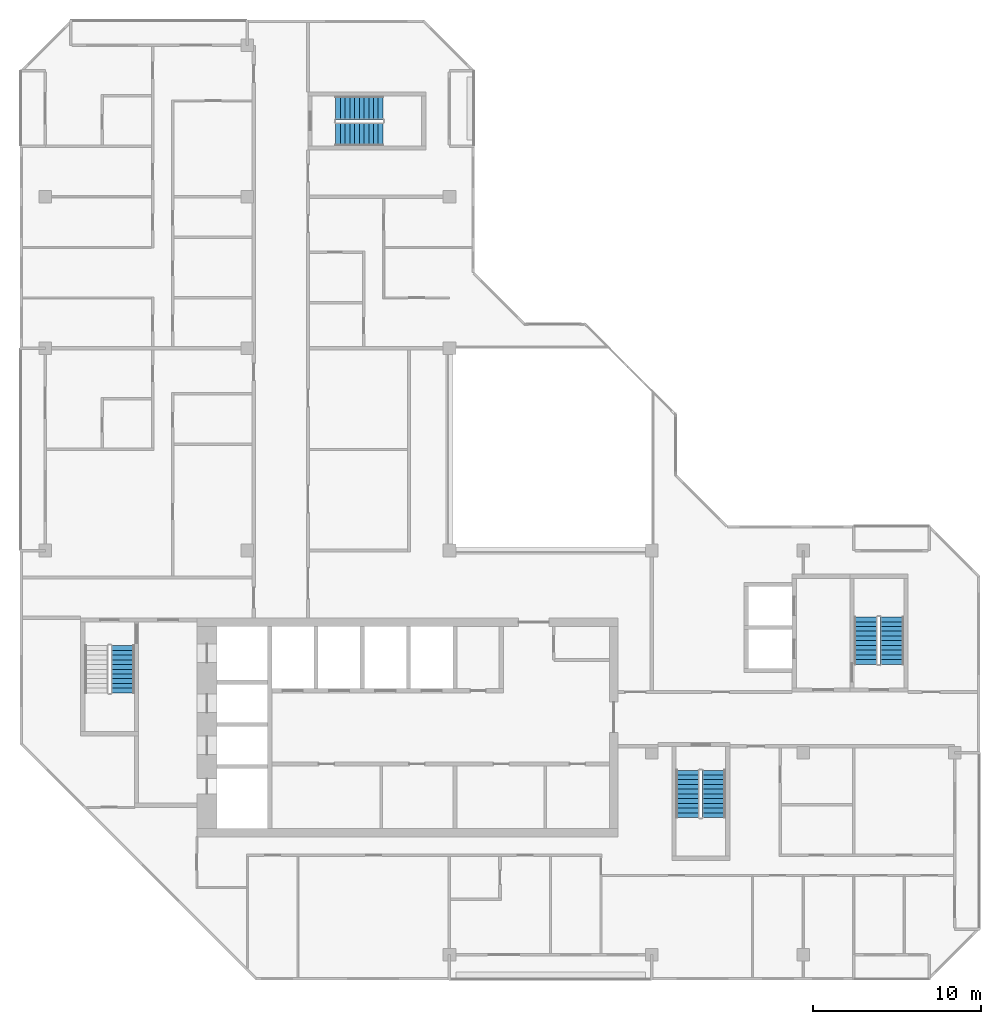
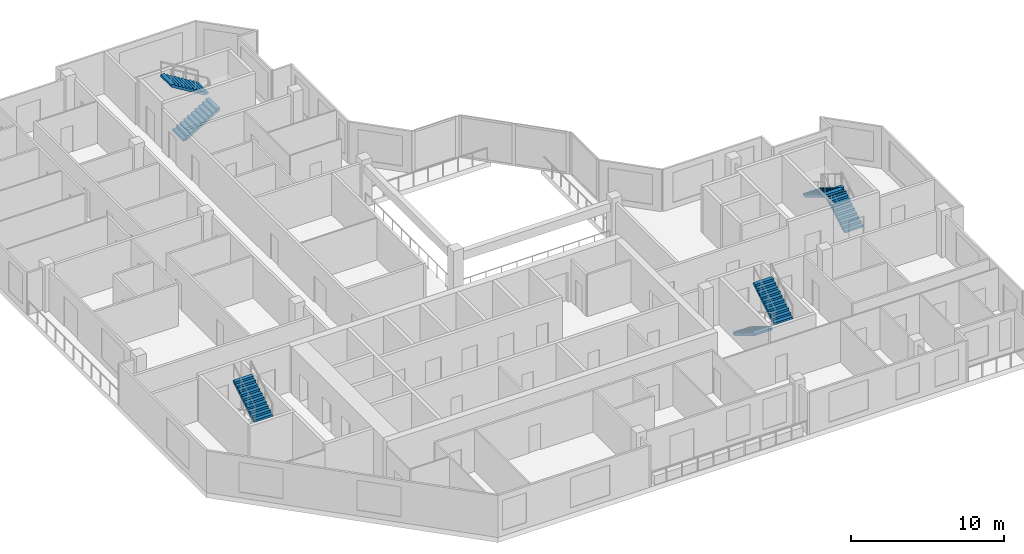
# One storey, part 10 of 12: 7 stair flights, 4 elements without a shape of their own.
"""IFC4 building model written with IfcOpenShell, lengths in metres."""

import ifcopenshell
import ifcopenshell.guid

model = None  # the IFC model being written
_history = None  # IfcOwnerHistory: only IFC2X3 demands one
_inside = {}  # id of a spatial element -> (the spatial element, [elements in it])
_under = {}  # id of a project, library or spatial element -> (it, [spatial elements below it])
_declared = {}  # id of a project -> (the project, [libraries it declares])
_typed = {}  # id of a type object -> (the type object, [elements of that type])
_made_of = {}  # id of a material, layer set ... -> (it, [elements and type objects made of it])


def new_model(schema):
    """Start an empty IFC model of exactly this schema.

    Asked for "IFC4X3", IfcOpenShell would pick the latest addendum, in which some entities
    have other attributes; the version numbers below select the first issue.
    IFC2X3 requires an IfcOwnerHistory on every rooted entity: one is made here for all.
    """
    global model, _history
    if schema == "IFC4X3":
        model = ifcopenshell.file(schema_version=(4, 3, 0, 0))
    else:
        model = ifcopenshell.file(schema=schema)
    _inside.clear()
    _under.clear()
    _declared.clear()
    _typed.clear()
    _made_of.clear()
    _history = None
    if model.schema == "IFC2X3":
        org = make("IfcOrganization", Name="unknown")
        user = make(
            "IfcPersonAndOrganization",
            ThePerson=make("IfcPerson", FamilyName="unknown"),
            TheOrganization=org,
        )
        app = make(
            "IfcApplication",
            ApplicationDeveloper=org,
            Version="unknown",
            ApplicationFullName="unknown",
            ApplicationIdentifier="unknown",
        )
        _history = make(
            "IfcOwnerHistory",
            OwningUser=user,
            OwningApplication=app,
            ChangeAction="ADDED",
            CreationDate=0,
        )
    return model


def make(cls, **values):
    """One entity of the class cls with the attributes given. An attribute that is None is left unset."""
    return model.create_entity(
        cls, **{name: value for name, value in values.items() if value is not None}
    )


def rooted(cls, **values):
    """An entity with a GlobalId (a new one), such as an element, a storey or a relation."""
    return make(cls, GlobalId=ifcopenshell.guid.new(), OwnerHistory=_history, **values)


def si_unit(unit_type, name, prefix=None):
    """IfcSIUnit, for example si_unit("LENGTHUNIT", "METRE", prefix="MILLI")."""
    return make("IfcSIUnit", UnitType=unit_type, Prefix=prefix, Name=name)


def assignment(units):
    """IfcUnitAssignment: the units of a project."""
    return None if units is None else make("IfcUnitAssignment", Units=units)


def point(xyz):
    """IfcCartesianPoint."""
    return None if xyz is None else make("IfcCartesianPoint", Coordinates=xyz)


def direction(xyz):
    """IfcDirection."""
    return None if xyz is None else make("IfcDirection", DirectionRatios=xyz)


def frame(location, z_axis=None, x_axis=None):
    """IfcAxis2Placement3D, a coordinate frame: its origin and axes. An axis left out is left unset."""
    return make(
        "IfcAxis2Placement3D",
        Location=point(location),
        Axis=direction(z_axis),
        RefDirection=direction(x_axis),
    )


def origin():
    """The frame at (0, 0, 0) with its axes left unset."""
    return frame((0.0, 0.0, 0.0))


def place(relative_to, where):
    """IfcLocalPlacement: puts the frame where relative to a parent placement (None: the world)."""
    return make(
        "IfcLocalPlacement", PlacementRelTo=relative_to, RelativePlacement=where
    )


def context(
    kind, dimensions, precision=None, world=None, true_north=None, identifier=None
):
    """IfcGeometricRepresentationContext, for example the 3D "Model" context."""
    return make(
        "IfcGeometricRepresentationContext",
        ContextIdentifier=identifier,
        ContextType=kind,
        CoordinateSpaceDimension=dimensions,
        Precision=precision,
        WorldCoordinateSystem=world,
        TrueNorth=true_north,
    )


def subcontext(parent, identifier, kind, view, scale=None):
    """IfcGeometricRepresentationSubContext, for example "Body" below "Model"."""
    return make(
        "IfcGeometricRepresentationSubContext",
        ContextIdentifier=identifier,
        ContextType=kind,
        ParentContext=parent,
        TargetScale=scale,
        TargetView=view,
    )


def project(units=None, contexts=None):
    """IfcProject with its units and contexts."""
    return rooted(
        "IfcProject",
        Name="project",
        RepresentationContexts=contexts,
        UnitsInContext=assignment(units),
    )


def spatial(cls, under=None, at=None, **own):
    """A site, building, storey or space (cls), placed at a placement, below another one or the project."""
    s = rooted(cls, ObjectPlacement=at, **own)
    if under is not None:
        _under.setdefault(under.id(), (under, []))[1].append(s)
    return s


def polyline(points):
    """IfcPolyline through the points."""
    return make("IfcPolyline", Points=[point(p) for p in points])


def outline(outer, holes=None, kind="AREA"):
    """IfcArbitraryClosedProfileDef: a profile drawn as a closed curve; with holes, ...WithVoids."""
    if holes is None:
        return make("IfcArbitraryClosedProfileDef", ProfileType=kind, OuterCurve=outer)
    return make(
        "IfcArbitraryProfileDefWithVoids",
        ProfileType=kind,
        OuterCurve=outer,
        InnerCurves=holes,
    )


def extrude(swept, where, along, depth):
    """IfcExtrudedAreaSolid: the profile swept, set in the frame where, extruded along a direction by depth."""
    return make(
        "IfcExtrudedAreaSolid",
        SweptArea=swept,
        Position=where,
        ExtrudedDirection=direction(along),
        Depth=depth,
    )


def shape(context_of_items, identifier, shape_type, items):
    """IfcShapeRepresentation: the items that make up one representation, for example the "Body"."""
    return make(
        "IfcShapeRepresentation",
        ContextOfItems=context_of_items,
        RepresentationIdentifier=identifier,
        RepresentationType=shape_type,
        Items=items,
    )


def material(Name=None, Category=None):
    """IfcMaterial."""
    return make("IfcMaterial", Name=Name, Category=Category)


def made_of(thing, what):
    """Note that an element or type object is made of a material, layer set ...; save() writes the relation."""
    if what is not None:
        _made_of.setdefault(what.id(), (what, []))[1].append(thing)
    return thing


def type_object(cls, material=None, **own):
    """A type object (cls), such as IfcWallType, which elements share."""
    return made_of(rooted(cls, **own), material)


def element(
    cls,
    number,
    at=None,
    inside=None,
    cuts=None,
    type_object=None,
    material=None,
    context=None,
    identifier="Body",
    shape_type=None,
    held_by="IfcProductDefinitionShape",
    body=None,
    shapes=None,
    **own,
):
    """One element of the class cls, such as IfcWall. Its Tag is "e" and its number.

    at: its placement. inside: the storey or other place that contains it. cuts: it is an
    opening in that element (IfcRelVoidsElement). A single representation is given by context,
    identifier, shape_type and body (its items); several are given by shapes. held_by: the class
    of the entity that holds the representations. save() writes the other relations.
    """
    e = rooted(cls, Tag="e%d" % number, ObjectPlacement=at, **own)
    if body is not None:
        shapes = [shape(context, identifier, shape_type, body)]
    if shapes is not None:
        e.Representation = make(held_by, Representations=shapes)
    if inside is not None:
        _inside.setdefault(inside.id(), (inside, []))[1].append(e)
    if cuts is not None:
        rooted(
            "IfcRelVoidsElement", RelatingBuildingElement=cuts, RelatedOpeningElement=e
        )
    if type_object is not None:
        _typed.setdefault(type_object.id(), (type_object, []))[1].append(e)
    return made_of(e, material)


def aggregate(whole, parts):
    """IfcRelAggregates: a whole, such as a stair, and the parts it consists of."""
    return rooted("IfcRelAggregates", RelatingObject=whole, RelatedObjects=parts)


def save(model, path):
    """Write the relations noted so far, then the file.

    IfcRelAggregates (storeys below a building ...), IfcRelContainedInSpatialStructure (elements
    in a storey), IfcRelDefinesByType, IfcRelAssociatesMaterial and IfcRelDeclares: one each for
    every whole, place, type object, material and project.
    """
    for whole, parts in _under.values():
        aggregate(whole, parts)
    for where, things in _inside.values():
        rooted(
            "IfcRelContainedInSpatialStructure",
            RelatedElements=things,
            RelatingStructure=where,
        )
    for kind, things in _typed.values():
        rooted("IfcRelDefinesByType", RelatedObjects=things, RelatingType=kind)
    for what, things in _made_of.values():
        rooted("IfcRelAssociatesMaterial", RelatedObjects=things, RelatingMaterial=what)
    for by, libraries in _declared.values():
        rooted("IfcRelDeclares", RelatingContext=by, RelatedDefinitions=libraries)
    model.write(path)


model = new_model("IFC4")

# Units and contexts
model_context = context("Model", 3, precision=1e-05, world=origin(), true_north=direction((0.0, 1.0)))
body_context = subcontext(model_context, "Body", "Model", "MODEL_VIEW")
ifc_project = project(units=[si_unit("LENGTHUNIT", "METRE"), si_unit("AREAUNIT", "SQUARE_METRE"), si_unit("VOLUMEUNIT", "CUBIC_METRE"), si_unit("PLANEANGLEUNIT", "RADIAN"), si_unit("MASSUNIT", "GRAM", prefix="KILO")], contexts=[model_context])

# Site, building, storey
site_placement = place(None, origin())
site = spatial("IfcSite", under=ifc_project, at=site_placement, CompositionType="ELEMENT")
building_placement = place(site_placement, origin())
building = spatial("IfcBuilding", under=site, at=building_placement, Name="Chenar Terraces", CompositionType="ELEMENT")
storey_placement = place(building_placement, frame((0.0, 0.0, 342.64990234375)))
storey = spatial("IfcBuildingStorey", under=building, at=storey_placement, Name="L79", CompositionType="ELEMENT", Elevation=342.64990234375)

# Stair, stair flight
ifc_material_1 = material(Name="Reinforced concrete C40/50", Category="concrete")
stair_type = type_object("IfcStairType", Name="Core stair 1400 half-turn", PredefinedType="HALF_TURN_STAIR", material=ifc_material_1)
placement = place(storey_placement, origin())
stair_1 = element("IfcStair", 1, at=placement, inside=storey, type_object=stair_type, Name="L79 Stair 1", PredefinedType="HALF_TURN_STAIR")
ifc_material_2 = material(Name="Reinforced concrete C40/50", Category="concrete")
stair_flight_type = type_object("IfcStairFlightType", Name="Core stair flight 1400", PredefinedType="STRAIGHT", material=ifc_material_2)
stair_flight_1_placement = place(storey_placement, frame((4.60009765625, 15.550048828125, 1.875), z_axis=(0.0, 0.0, 1.0), x_axis=(0.0, 1.0, 0.0)))
stair_flight_1 = element("IfcStairFlight", 2, at=stair_flight_1_placement, type_object=stair_flight_type, Name="ST1 flight 2", NumberOfRisers=11, NumberOfTreads=10, PredefinedType="STRAIGHT", RiserHeight=0.170454545, TreadLength=0.28, context=body_context, shape_type="SweptSolid", body=[
    extrude(outline(polyline([(-0.0029296875, 0.0), (-0.0029296875, 0.17041015625), (0.0, 0.17041015625), (0.280029296875, 0.17041015625), (0.280029296875, 0.3408203125), (0.56005859375, 0.3408203125), (0.56005859375, 0.511474609375), (0.840087890625, 0.511474609375), (0.840087890625, 0.681884765625), (1.1201171875, 0.681884765625), (1.1201171875, 0.852294921875), (1.39990234375, 0.852294921875), (1.39990234375, 1.022705078125), (1.679931640625, 1.022705078125), (1.679931640625, 1.193115234375), (1.9599609375, 1.193115234375), (1.9599609375, 1.363525390625), (2.239990234375, 1.363525390625), (2.239990234375, 1.5341796875), (2.52001953125, 1.5341796875), (2.52001953125, 1.70458984375), (2.800048828125, 1.70458984375), (2.802978515625, 1.70458984375), (2.802978515625, 1.529052734375), (2.800048828125, 1.529052734375), (0.288330078125, 0.0), (-0.0029296875, 0.0)])), frame((0.0, 0.699951171875, 0.0), z_axis=(0.0, -1.0, 0.0), x_axis=(1.0, 0.0, 0.0)), (0.0, 0.0, 1.0), 1.39990234375),
])
aggregate(stair_1, [stair_flight_1])

# Stair, stair flights
stair_2 = element("IfcStair", 3, at=placement, inside=storey, type_object=stair_type, Name="L79 Stair 2", PredefinedType="HALF_TURN_STAIR")
stair_flight_2_placement = place(storey_placement, frame((38.14990234375, 10.949951171875, 0.0), z_axis=(0.0, 0.0, 1.0), x_axis=(0.0, -1.0, 0.0)))
stair_flight_2 = element("IfcStairFlight", 4, at=stair_flight_2_placement, type_object=stair_flight_type, Name="ST2 flight 1", NumberOfRisers=11, NumberOfTreads=10, PredefinedType="STRAIGHT", RiserHeight=0.170454545, TreadLength=0.28, context=body_context, shape_type="SweptSolid", body=[
    extrude(outline(polyline([(-0.0029296875, 0.0), (-0.0029296875, 0.17041015625), (0.0, 0.17041015625), (0.280029296875, 0.17041015625), (0.280029296875, 0.3408203125), (0.56005859375, 0.3408203125), (0.56005859375, 0.511474609375), (0.840087890625, 0.511474609375), (0.840087890625, 0.681884765625), (1.1201171875, 0.681884765625), (1.1201171875, 0.852294921875), (1.39990234375, 0.852294921875), (1.39990234375, 1.022705078125), (1.679931640625, 1.022705078125), (1.679931640625, 1.193115234375), (1.9599609375, 1.193115234375), (1.9599609375, 1.363525390625), (2.239990234375, 1.363525390625), (2.239990234375, 1.5341796875), (2.52001953125, 1.5341796875), (2.52001953125, 1.70458984375), (2.800048828125, 1.70458984375), (2.802978515625, 1.70458984375), (2.802978515625, 1.529052734375), (2.800048828125, 1.529052734375), (0.288330078125, 0.0), (-0.0029296875, 0.0)])), frame((0.0, 0.699951171875, 0.0), z_axis=(0.0, -1.0, 0.0), x_axis=(1.0, 0.0, 0.0)), (0.0, 0.0, 1.0), 1.39990234375),
])
stair_flight_3_placement = place(storey_placement, frame((39.699951171875, 8.14990234375, 1.875), z_axis=(0.0, 0.0, 1.0), x_axis=(0.0, 1.0, 0.0)))
stair_flight_3 = element("IfcStairFlight", 5, at=stair_flight_3_placement, type_object=stair_flight_type, Name="ST2 flight 2", NumberOfRisers=11, NumberOfTreads=10, PredefinedType="STRAIGHT", RiserHeight=0.170454545, TreadLength=0.28, context=body_context, shape_type="SweptSolid", body=[
    extrude(outline(polyline([(-0.0029296875, 0.0), (-0.0029296875, 0.17041015625), (0.0, 0.17041015625), (0.280029296875, 0.17041015625), (0.280029296875, 0.3408203125), (0.56005859375, 0.3408203125), (0.56005859375, 0.511474609375), (0.840087890625, 0.511474609375), (0.840087890625, 0.681884765625), (1.1201171875, 0.681884765625), (1.1201171875, 0.852294921875), (1.39990234375, 0.852294921875), (1.39990234375, 1.022705078125), (1.679931640625, 1.022705078125), (1.679931640625, 1.193115234375), (1.9599609375, 1.193115234375), (1.9599609375, 1.363525390625), (2.239990234375, 1.363525390625), (2.239990234375, 1.5341796875), (2.52001953125, 1.5341796875), (2.52001953125, 1.70458984375), (2.800048828125, 1.70458984375), (2.802978515625, 1.70458984375), (2.802978515625, 1.529052734375), (2.800048828125, 1.529052734375), (0.288330078125, 0.0), (-0.0029296875, 0.0)])), frame((0.0, 0.699951171875, 0.0), z_axis=(0.0, -1.0, 0.0), x_axis=(1.0, 0.0, 0.0)), (0.0, 0.0, 1.0), 1.39990234375),
])
aggregate(stair_2, [stair_flight_2, stair_flight_3])

stair_3 = element("IfcStair", 6, at=placement, inside=storey, type_object=stair_type, Name="L79 Stair 3", PredefinedType="HALF_TURN_STAIR")
stair_flight_4_placement = place(storey_placement, frame((50.27490234375, 17.25, 0.0), z_axis=(0.0, 0.0, 1.0), x_axis=(0.0, 1.0, 0.0)))
stair_flight_4 = element("IfcStairFlight", 7, at=stair_flight_4_placement, type_object=stair_flight_type, Name="ST3 flight 1", NumberOfRisers=11, NumberOfTreads=10, PredefinedType="STRAIGHT", RiserHeight=0.170454545, TreadLength=0.28, context=body_context, shape_type="SweptSolid", body=[
    extrude(outline(polyline([(-0.0029296875, 0.0), (-0.0029296875, 0.17041015625), (0.0, 0.17041015625), (0.280029296875, 0.17041015625), (0.280029296875, 0.3408203125), (0.56005859375, 0.3408203125), (0.56005859375, 0.511474609375), (0.840087890625, 0.511474609375), (0.840087890625, 0.681884765625), (1.1201171875, 0.681884765625), (1.1201171875, 0.852294921875), (1.39990234375, 0.852294921875), (1.39990234375, 1.022705078125), (1.679931640625, 1.022705078125), (1.679931640625, 1.193115234375), (1.9599609375, 1.193115234375), (1.9599609375, 1.363525390625), (2.239990234375, 1.363525390625), (2.239990234375, 1.5341796875), (2.52001953125, 1.5341796875), (2.52001953125, 1.70458984375), (2.800048828125, 1.70458984375), (2.802978515625, 1.70458984375), (2.802978515625, 1.529052734375), (2.800048828125, 1.529052734375), (0.288330078125, 0.0), (-0.0029296875, 0.0)])), frame((0.0, 0.699951171875, 0.0), z_axis=(0.0, -1.0, 0.0), x_axis=(1.0, 0.0, 0.0)), (0.0, 0.0, 1.0), 1.39990234375),
])
stair_flight_5_placement = place(storey_placement, frame((48.72509765625, 20.050048828125, 1.875), z_axis=(0.0, 0.0, 1.0), x_axis=(0.0, -1.0, 0.0)))
stair_flight_5 = element("IfcStairFlight", 8, at=stair_flight_5_placement, type_object=stair_flight_type, Name="ST3 flight 2", NumberOfRisers=11, NumberOfTreads=10, PredefinedType="STRAIGHT", RiserHeight=0.170454545, TreadLength=0.28, context=body_context, shape_type="SweptSolid", body=[
    extrude(outline(polyline([(-0.0029296875, 0.0), (-0.0029296875, 0.17041015625), (0.0, 0.17041015625), (0.280029296875, 0.17041015625), (0.280029296875, 0.3408203125), (0.56005859375, 0.3408203125), (0.56005859375, 0.511474609375), (0.840087890625, 0.511474609375), (0.840087890625, 0.681884765625), (1.1201171875, 0.681884765625), (1.1201171875, 0.852294921875), (1.39990234375, 0.852294921875), (1.39990234375, 1.022705078125), (1.679931640625, 1.022705078125), (1.679931640625, 1.193115234375), (1.9599609375, 1.193115234375), (1.9599609375, 1.363525390625), (2.239990234375, 1.363525390625), (2.239990234375, 1.5341796875), (2.52001953125, 1.5341796875), (2.52001953125, 1.70458984375), (2.800048828125, 1.70458984375), (2.802978515625, 1.70458984375), (2.802978515625, 1.529052734375), (2.800048828125, 1.529052734375), (0.288330078125, 0.0), (-0.0029296875, 0.0)])), frame((0.0, 0.699951171875, 0.0), z_axis=(0.0, -1.0, 0.0), x_axis=(1.0, 0.0, 0.0)), (0.0, 0.0, 1.0), 1.39990234375),
])
aggregate(stair_3, [stair_flight_4, stair_flight_5])

stair_4 = element("IfcStair", 9, at=placement, inside=storey, type_object=stair_type, Name="L79 Stair 4", PredefinedType="HALF_TURN_STAIR")
stair_flight_6_placement = place(storey_placement, frame((17.25, 48.72509765625, 0.0), z_axis=(0.0, 0.0, 1.0), x_axis=(1.0, 0.0, 0.0)))
stair_flight_6 = element("IfcStairFlight", 10, at=stair_flight_6_placement, type_object=stair_flight_type, Name="ST4 flight 1", NumberOfRisers=11, NumberOfTreads=10, PredefinedType="STRAIGHT", RiserHeight=0.170454545, TreadLength=0.28, context=body_context, shape_type="SweptSolid", body=[
    extrude(outline(polyline([(-0.0029296875, 0.0), (-0.0029296875, 0.17041015625), (0.0, 0.17041015625), (0.280029296875, 0.17041015625), (0.280029296875, 0.3408203125), (0.56005859375, 0.3408203125), (0.56005859375, 0.511474609375), (0.840087890625, 0.511474609375), (0.840087890625, 0.681884765625), (1.1201171875, 0.681884765625), (1.1201171875, 0.852294921875), (1.39990234375, 0.852294921875), (1.39990234375, 1.022705078125), (1.679931640625, 1.022705078125), (1.679931640625, 1.193115234375), (1.9599609375, 1.193115234375), (1.9599609375, 1.363525390625), (2.239990234375, 1.363525390625), (2.239990234375, 1.5341796875), (2.52001953125, 1.5341796875), (2.52001953125, 1.70458984375), (2.800048828125, 1.70458984375), (2.802978515625, 1.70458984375), (2.802978515625, 1.529052734375), (2.800048828125, 1.529052734375), (0.288330078125, 0.0), (-0.0029296875, 0.0)])), frame((0.0, 0.699951171875, 0.0), z_axis=(0.0, -1.0, 0.0), x_axis=(1.0, 0.0, 0.0)), (0.0, 0.0, 1.0), 1.39990234375),
])
stair_flight_7_placement = place(storey_placement, frame((20.050048828125, 50.27490234375, 1.875), z_axis=(0.0, 0.0, 1.0), x_axis=(-1.0, 0.0, 0.0)))
stair_flight_7 = element("IfcStairFlight", 11, at=stair_flight_7_placement, type_object=stair_flight_type, Name="ST4 flight 2", NumberOfRisers=11, NumberOfTreads=10, PredefinedType="STRAIGHT", RiserHeight=0.170454545, TreadLength=0.28, context=body_context, shape_type="SweptSolid", body=[
    extrude(outline(polyline([(-0.0029296875, 0.0), (-0.0029296875, 0.17041015625), (0.0, 0.17041015625), (0.280029296875, 0.17041015625), (0.280029296875, 0.3408203125), (0.56005859375, 0.3408203125), (0.56005859375, 0.511474609375), (0.840087890625, 0.511474609375), (0.840087890625, 0.681884765625), (1.1201171875, 0.681884765625), (1.1201171875, 0.852294921875), (1.39990234375, 0.852294921875), (1.39990234375, 1.022705078125), (1.679931640625, 1.022705078125), (1.679931640625, 1.193115234375), (1.9599609375, 1.193115234375), (1.9599609375, 1.363525390625), (2.239990234375, 1.363525390625), (2.239990234375, 1.5341796875), (2.52001953125, 1.5341796875), (2.52001953125, 1.70458984375), (2.800048828125, 1.70458984375), (2.802978515625, 1.70458984375), (2.802978515625, 1.529052734375), (2.800048828125, 1.529052734375), (0.288330078125, 0.0), (-0.0029296875, 0.0)])), frame((0.0, 0.699951171875, 0.0), z_axis=(0.0, -1.0, 0.0), x_axis=(1.0, 0.0, 0.0)), (0.0, 0.0, 1.0), 1.39990234375),
])
aggregate(stair_4, [stair_flight_6, stair_flight_7])

save(model, "model.ifc")
